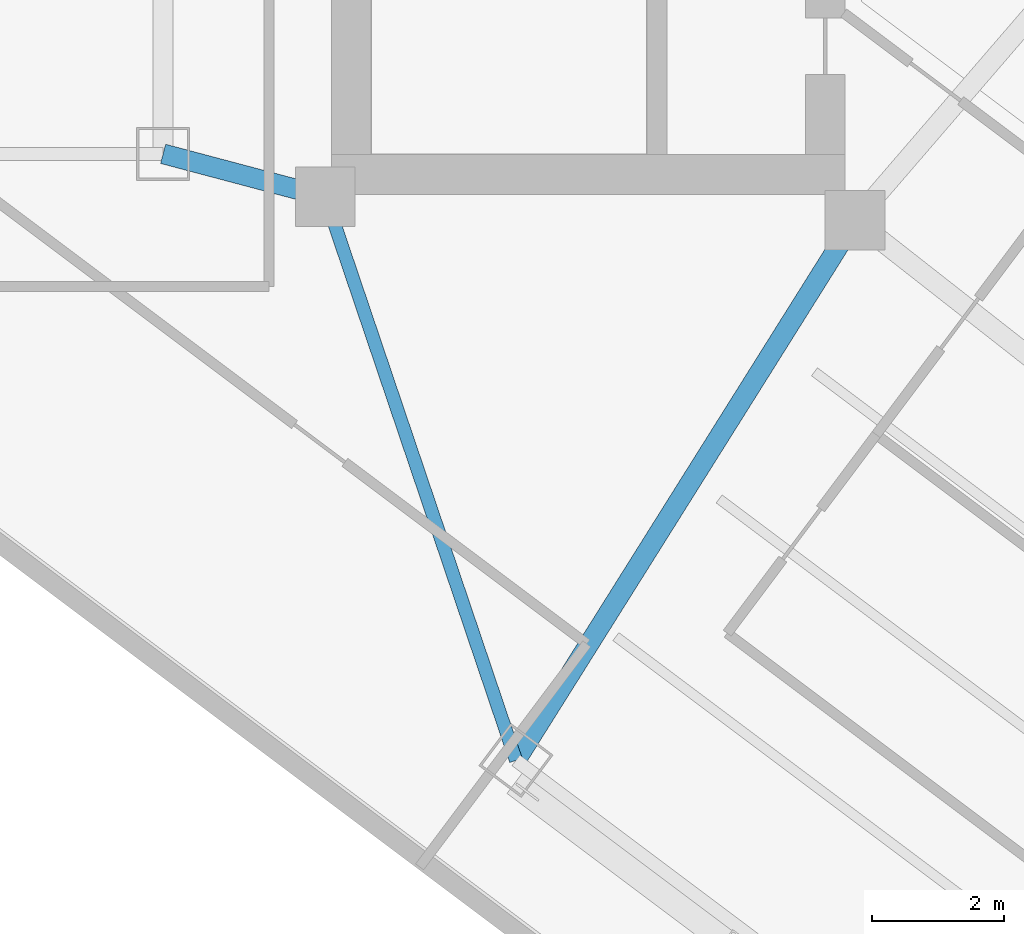
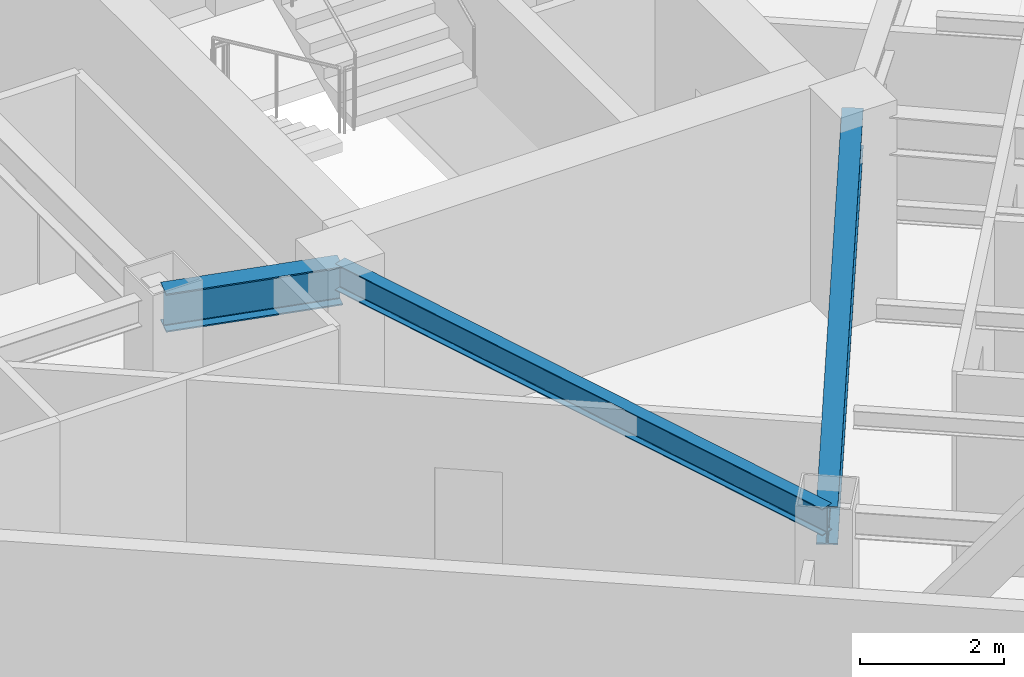
# One storey, part 3 of 27: 3 beams.
"""IFC4 building model written with IfcOpenShell, lengths in metres."""

from ifc_helpers import new_model, si_unit, direction, frame, origin, origin_2d, place, context, subcontext, project, spatial, i_section, extrude, material, material_profile, profile_set, type_object, element, save


model = new_model("IFC4")

# Units and contexts
model_context = context("Model", 3, precision=1e-05, world=origin(), true_north=direction((0.0, 1.0)))
body_context = subcontext(model_context, "Body", "Model", "MODEL_VIEW")
ifc_project = project(units=[si_unit("LENGTHUNIT", "METRE"), si_unit("AREAUNIT", "SQUARE_METRE"), si_unit("VOLUMEUNIT", "CUBIC_METRE"), si_unit("PLANEANGLEUNIT", "RADIAN"), si_unit("MASSUNIT", "GRAM", prefix="KILO")], contexts=[model_context])

# Site, building, storey
site_placement = place(None, origin())
site = spatial("IfcSite", under=ifc_project, at=site_placement, CompositionType="ELEMENT")
building_placement = place(site_placement, origin())
building = spatial("IfcBuilding", under=site, at=building_placement, Name="Hatsunagi Terrace Concourse", CompositionType="ELEMENT")
storey_placement = place(building_placement, frame((0.0, 0.0, 167.25)))
storey = spatial("IfcBuildingStorey", under=building, at=storey_placement, Name="L44", CompositionType="ELEMENT", Elevation=167.25)

# Beams
ifc_material_1 = material(Name="Steel SN490B", Category="steel")
ifc_material_profile_1 = material_profile(ifc_material_1, i_section(OverallWidth=0.300048828125, OverallDepth=0.64990234375, WebThickness=0.012939453125, FlangeThickness=0.02197265625, FilletRadius=0.01806640625, at=origin_2d()), Name="H-650x300x13x22")
ifc_profile_set_1 = profile_set([ifc_material_profile_1], Name="Steel SN490B")
beam_type_1 = type_object("IfcBeamType", Name="OfficeLowGirder_H_650x300", PredefinedType="BEAM", material=ifc_profile_set_1)
beam_1_placement = place(storey_placement, frame((33.35009765625, 25.199951171875, 3.02490234375), z_axis=(0.966569840116, -0.256403479262, 0.0), x_axis=(0.256403479262, 0.966569840116, 0.0)))
element("IfcBeam", 1, at=beam_1_placement, inside=storey, type_object=beam_type_1, Name="Beam G-05 BM-L44-K2CB", PredefinedType="BEAM", context=body_context, shape_type="SweptSolid", body=[
    extrude(i_section(OverallWidth=0.300048828125, OverallDepth=0.64990234375, WebThickness=0.012939453125, FlangeThickness=0.02197265625, FilletRadius=0.01806640625, at=origin_2d()), origin(), (0.0, 0.0, 1.0), 2.53466796875),
])
beam_2_placement = place(storey_placement, frame((38.679931640625, 16.0400390625, 3.02490234375), z_axis=(0.531503907049, 0.847055840421, 0.0), x_axis=(-0.847055840421, 0.531503907049, 0.0)))
element("IfcBeam", 2, at=beam_2_placement, inside=storey, type_object=beam_type_1, Name="Beam G-05 BM-L44-SET-1A", PredefinedType="BEAM", context=body_context, shape_type="SweptSolid", body=[
    extrude(i_section(OverallWidth=0.300048828125, OverallDepth=0.64990234375, WebThickness=0.012939453125, FlangeThickness=0.02197265625, FilletRadius=0.01806640625, at=origin_2d()), origin(), (0.0, 0.0, 1.0), 9.63330078125),
])
ifc_material_2 = material(Name="Steel SN490B", Category="steel")
ifc_material_profile_2 = material_profile(ifc_material_2, i_section(OverallWidth=0.199951171875, OverallDepth=0.449951171875, WebThickness=0.009033203125, FlangeThickness=0.013916015625, FilletRadius=0.01611328125, at=origin_2d()), Name="H-450x200x9x14")
ifc_profile_set_2 = profile_set([ifc_material_profile_2], Name="Steel SN490B")
beam_type_2 = type_object("IfcBeamType", Name="PerimeterSpandrel_H_450x200", PredefinedType="SPANDREL", material=ifc_profile_set_2)
beam_3_placement = place(storey_placement, frame((35.800048828125, 24.550048828125, 3.125), z_axis=(0.320553412271, -0.947230441805, 0.0), x_axis=(0.947230441805, 0.320553412271, 0.0)))
element("IfcBeam", 3, at=beam_3_placement, inside=storey, type_object=beam_type_2, Name="Beam SP-02 BM-L44-SE-SW0", PredefinedType="SPANDREL", context=body_context, shape_type="SweptSolid", body=[
    extrude(i_section(OverallWidth=0.199951171875, OverallDepth=0.449951171875, WebThickness=0.009033203125, FlangeThickness=0.013916015625, FilletRadius=0.01611328125, at=origin_2d()), origin(), (0.0, 0.0, 1.0), 8.984130859375),
])

save(model, "model.ifc")
